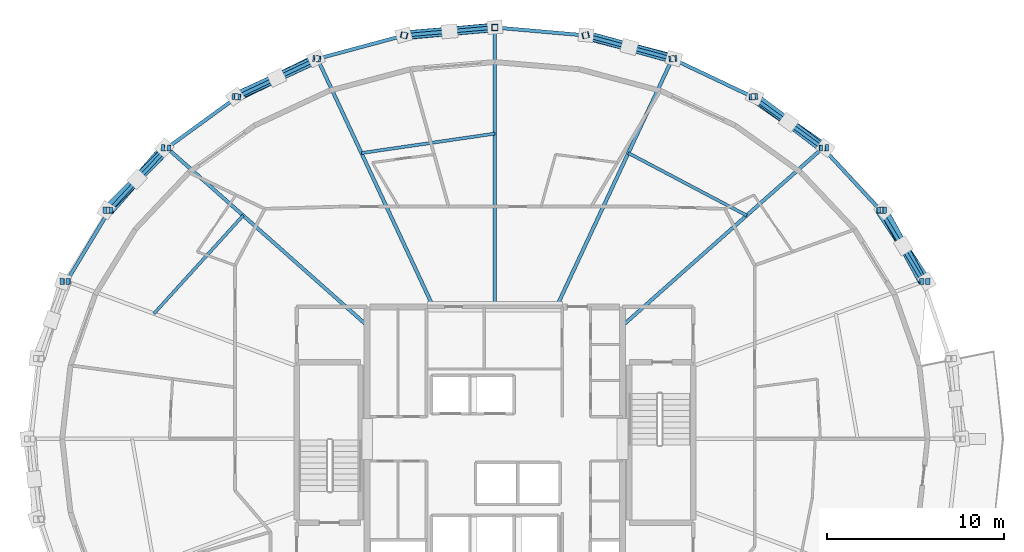
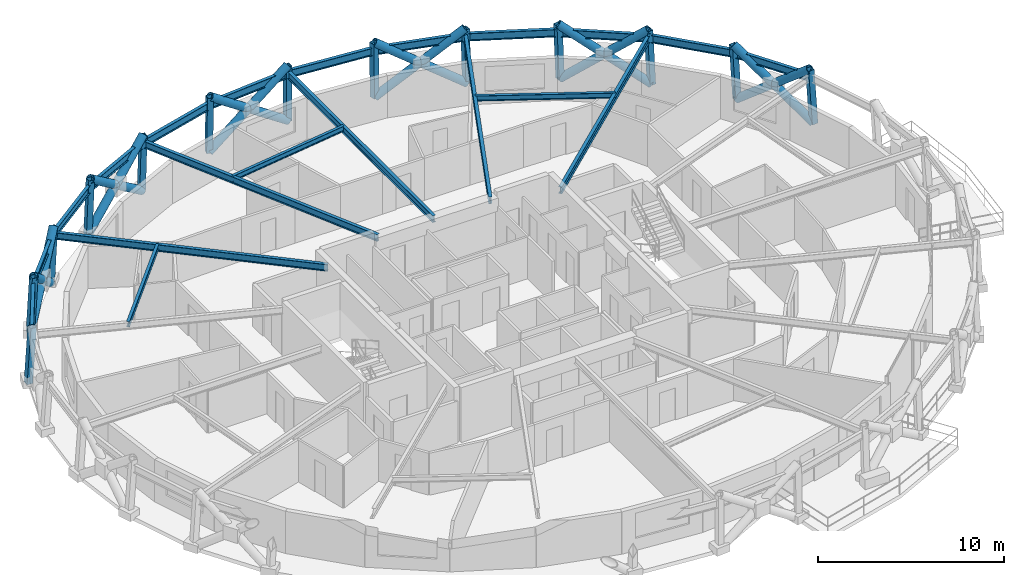
# One storey, part 7 of 14: 31 members, 20 beams.
"""IFC4 building model written with IfcOpenShell, lengths in metres."""

from ifc_helpers import new_model, si_unit, direction, frame, origin, origin_2d, place, context, subcontext, project, spatial, hollow_rectangle, hollow_circle, i_section, extrude, material, material_profile, profile_set, type_object, element, save


model = new_model("IFC4")

# Units and contexts
model_context = context("Model", 3, precision=1e-05, world=origin(), true_north=direction((0.0, 1.0)))
body_context = subcontext(model_context, "Body", "Model", "MODEL_VIEW")
ifc_project = project(units=[si_unit("LENGTHUNIT", "METRE"), si_unit("AREAUNIT", "SQUARE_METRE"), si_unit("VOLUMEUNIT", "CUBIC_METRE"), si_unit("PLANEANGLEUNIT", "RADIAN"), si_unit("MASSUNIT", "GRAM", prefix="KILO")], contexts=[model_context])

# Site, building, storey
site_placement = place(None, origin())
site = spatial("IfcSite", under=ifc_project, at=site_placement, CompositionType="ELEMENT")
building_placement = place(site_placement, origin())
building = spatial("IfcBuilding", under=site, at=building_placement, Name="Veldorina Hangang Commons", CompositionType="ELEMENT")
storey_placement = place(building_placement, frame((0.0, 0.0, 200.0)))
storey = spatial("IfcBuildingStorey", under=building, at=storey_placement, Name="L52", CompositionType="ELEMENT", Elevation=200.0)

# Beams
ifc_material_1 = material(Name="Steel SM355-TMC", Category="steel")
ifc_material_profile_1 = material_profile(ifc_material_1, i_section(OverallWidth=0.199951171875, OverallDepth=0.449951171875, WebThickness=0.009033203125, FlangeThickness=0.013916015625, FilletRadius=0.01611328125, at=origin_2d()), Name="H-450x200x9x14")
ifc_profile_set_1 = profile_set([ifc_material_profile_1], Name="Steel SM355-TMC")
beam_type_1 = type_object("IfcBeamType", Name="BM-FG450", PredefinedType="BEAM", material=ifc_profile_set_1)
beam_1_placement = place(storey_placement, frame((39.199951171875, 30.390380859375, 3.074951171875), z_axis=(0.747915165692, 0.663794324267, 0.0), x_axis=(-0.663794324267, 0.747915165692, 0.0)))
element("IfcBeam", 1, at=beam_1_placement, inside=storey, type_object=beam_type_1, Name="L52 radial floor girder 03", PredefinedType="BEAM", context=body_context, shape_type="SweptSolid", body=[
    extrude(i_section(OverallWidth=0.199951171875, OverallDepth=0.449951171875, WebThickness=0.009033203125, FlangeThickness=0.013916015625, FilletRadius=0.01611328125, at=origin_2d()), origin(), (0.0, 0.0, 1.0), 15.091796875),
])
beam_2_placement = place(storey_placement, frame((35.476806640625, 31.449951171875, 3.074951171875), z_axis=(0.422916633898, 0.906168594011, 0.0), x_axis=(-0.906168594011, 0.422916633898, 0.0)))
element("IfcBeam", 2, at=beam_2_placement, inside=storey, type_object=beam_type_1, Name="L52 radial floor girder 04", PredefinedType="BEAM", context=body_context, shape_type="SweptSolid", body=[
    extrude(i_section(OverallWidth=0.199951171875, OverallDepth=0.449951171875, WebThickness=0.009033203125, FlangeThickness=0.013916015625, FilletRadius=0.01611328125, at=origin_2d()), origin(), (0.0, 0.0, 1.0), 15.43701171875),
])
beam_3_placement = place(storey_placement, frame((32.0, 31.449951171875, 3.074951171875), z_axis=(0.0, 1.0, 0.0), x_axis=(-1.0, 0.0, 0.0)))
element("IfcBeam", 3, at=beam_3_placement, inside=storey, type_object=beam_type_1, Name="L52 radial floor girder 05", PredefinedType="BEAM", context=body_context, shape_type="SweptSolid", body=[
    extrude(i_section(OverallWidth=0.199951171875, OverallDepth=0.449951171875, WebThickness=0.009033203125, FlangeThickness=0.013916015625, FilletRadius=0.01611328125, at=origin_2d()), origin(), (0.0, 0.0, 1.0), 15.7548828125),
])
beam_4_placement = place(storey_placement, frame((28.523193359375, 31.449951171875, 3.074951171875), z_axis=(-0.422916633898, 0.906168594011, 0.0), x_axis=(-0.906168594011, -0.422916633898, 0.0)))
element("IfcBeam", 4, at=beam_4_placement, inside=storey, type_object=beam_type_1, Name="L52 radial floor girder 06", PredefinedType="BEAM", context=body_context, shape_type="SweptSolid", body=[
    extrude(i_section(OverallWidth=0.199951171875, OverallDepth=0.449951171875, WebThickness=0.009033203125, FlangeThickness=0.013916015625, FilletRadius=0.01611328125, at=origin_2d()), origin(), (0.0, 0.0, 1.0), 15.43701171875),
])
beam_5_placement = place(storey_placement, frame((24.800048828125, 30.390380859375, 3.074951171875), z_axis=(-0.747915165692, 0.663794324267, 0.0), x_axis=(-0.663794324267, -0.747915165692, 0.0)))
element("IfcBeam", 5, at=beam_5_placement, inside=storey, type_object=beam_type_1, Name="L52 radial floor girder 07", PredefinedType="BEAM", context=body_context, shape_type="SweptSolid", body=[
    extrude(i_section(OverallWidth=0.199951171875, OverallDepth=0.449951171875, WebThickness=0.009033203125, FlangeThickness=0.013916015625, FilletRadius=0.01611328125, at=origin_2d()), origin(), (0.0, 0.0, 1.0), 15.091796875),
])
ifc_material_profile_2 = material_profile(ifc_material_1, i_section(OverallWidth=0.175048828125, OverallDepth=0.35009765625, WebThickness=0.007080078125, FlangeThickness=0.010986328125, FilletRadius=0.012939453125, at=origin_2d()), Name="H-350x175x7x11")
ifc_profile_set_2 = profile_set([ifc_material_profile_2], Name="Steel SM355-TMC")
beam_type_2 = type_object("IfcBeamType", Name="BM-JST350", PredefinedType="JOIST", material=ifc_profile_set_2)
beam_6_placement = place(storey_placement, frame((46.197998046875, 36.6015625, 3.125), z_axis=(-0.884435575108, 0.466662312046, 0.0), x_axis=(-0.466662312046, -0.884435575108, 0.0)))
element("IfcBeam", 6, at=beam_6_placement, inside=storey, type_object=beam_type_2, Name="L52 secondary floor joist 03", PredefinedType="JOIST", context=body_context, shape_type="SweptSolid", body=[
    extrude(i_section(OverallWidth=0.175048828125, OverallDepth=0.35009765625, WebThickness=0.007080078125, FlangeThickness=0.010986328125, FilletRadius=0.012939453125, at=origin_2d()), origin(), (0.0, 0.0, 1.0), 7.545654296875),
])
beam_7_placement = place(storey_placement, frame((32.0, 41.218017578125, 3.125), z_axis=(-0.989572298208, -0.144037032114, 0.0), x_axis=(0.144037032114, -0.989572298208, 0.0)))
element("IfcBeam", 7, at=beam_7_placement, inside=storey, type_object=beam_type_2, Name="L52 secondary floor joist 05", PredefinedType="JOIST", context=body_context, shape_type="SweptSolid", body=[
    extrude(i_section(OverallWidth=0.175048828125, OverallDepth=0.35009765625, WebThickness=0.007080078125, FlangeThickness=0.010986328125, FilletRadius=0.012939453125, at=origin_2d()), origin(), (0.0, 0.0, 1.0), 7.603759765625),
])
beam_8_placement = place(storey_placement, frame((17.802001953125, 36.6015625, 3.125), z_axis=(-0.672328130477, -0.740253257318, 0.0), x_axis=(0.740253257318, -0.672328130477, 0.0)))
element("IfcBeam", 8, at=beam_8_placement, inside=storey, type_object=beam_type_2, Name="L52 secondary floor joist 07", PredefinedType="JOIST", context=body_context, shape_type="SweptSolid", body=[
    extrude(i_section(OverallWidth=0.175048828125, OverallDepth=0.35009765625, WebThickness=0.007080078125, FlangeThickness=0.010986328125, FilletRadius=0.012939453125, at=origin_2d()), origin(), (0.0, 0.0, 1.0), 7.47607421875),
])
ifc_material_2 = material(Name="Steel SM420-TMC", Category="steel")
ifc_material_profile_3 = material_profile(ifc_material_2, i_section(OverallWidth=0.199951171875, OverallDepth=0.5, WebThickness=0.010009765625, FlangeThickness=0.01611328125, FilletRadius=0.01611328125, at=origin_2d()), Name="H-500x200x10x16")
ifc_profile_set_3 = profile_set([ifc_material_profile_3], Name="Steel SM420-TMC")
beam_type_3 = type_object("IfcBeamType", Name="BM-RB500", PredefinedType="BEAM", material=ifc_profile_set_3)
beam_9_placement = place(storey_placement, frame((56.15478515625, 32.880126953125, 3.050048828125), z_axis=(-0.51590571016, 0.856645374834, 0.0), x_axis=(-0.856645374834, -0.51590571016, 0.0)))
element("IfcBeam", 9, at=beam_9_placement, inside=storey, type_object=beam_type_3, Name="L52 perimeter hoop ring beam 02", PredefinedType="BEAM", context=body_context, shape_type="SweptSolid", body=[
    extrude(i_section(OverallWidth=0.199951171875, OverallDepth=0.5, WebThickness=0.010009765625, FlangeThickness=0.01611328125, FilletRadius=0.01611328125, at=origin_2d()), origin(), (0.0, 0.0, 1.0), 4.68310546875),
])
beam_10_placement = place(storey_placement, frame((53.73876953125, 36.891845703125, 3.050048828125), z_axis=(-0.678910794027, 0.734220766359, 0.0), x_axis=(-0.734220766359, -0.678910794027, 0.0)))
element("IfcBeam", 10, at=beam_10_placement, inside=storey, type_object=beam_type_3, Name="L52 perimeter hoop ring beam 03", PredefinedType="BEAM", context=body_context, shape_type="SweptSolid", body=[
    extrude(i_section(OverallWidth=0.199951171875, OverallDepth=0.5, WebThickness=0.010009765625, FlangeThickness=0.01611328125, FilletRadius=0.01611328125, at=origin_2d()), origin(), (0.0, 0.0, 1.0), 4.789306640625),
])
beam_11_placement = place(storey_placement, frame((50.4873046875, 40.408203125, 3.050048828125), z_axis=(-0.808289999855, 0.58878457532, 0.0), x_axis=(-0.58878457532, -0.808289999855, 0.0)))
element("IfcBeam", 11, at=beam_11_placement, inside=storey, type_object=beam_type_3, Name="L52 perimeter hoop ring beam 04", PredefinedType="BEAM", context=body_context, shape_type="SweptSolid", body=[
    extrude(i_section(OverallWidth=0.199951171875, OverallDepth=0.5, WebThickness=0.010009765625, FlangeThickness=0.01611328125, FilletRadius=0.01611328125, at=origin_2d()), origin(), (0.0, 0.0, 1.0), 4.901611328125),
])
beam_12_placement = place(storey_placement, frame((46.525390625, 43.294189453125, 3.050048828125), z_axis=(-0.903488274153, 0.428612807167, 0.0), x_axis=(-0.428612807167, -0.903488274153, 0.0)))
element("IfcBeam", 12, at=beam_12_placement, inside=storey, type_object=beam_type_3, Name="L52 perimeter hoop ring beam 05", PredefinedType="BEAM", context=body_context, shape_type="SweptSolid", body=[
    extrude(i_section(OverallWidth=0.199951171875, OverallDepth=0.5, WebThickness=0.010009765625, FlangeThickness=0.01611328125, FilletRadius=0.01611328125, at=origin_2d()), origin(), (0.0, 0.0, 1.0), 5.0029296875),
])
beam_13_placement = place(storey_placement, frame((42.00537109375, 45.4384765625, 3.050048828125), z_axis=(-0.965613902216, 0.259980368197, 0.0), x_axis=(-0.259980368197, -0.965613902216, 0.0)))
element("IfcBeam", 13, at=beam_13_placement, inside=storey, type_object=beam_type_3, Name="L52 perimeter hoop ring beam 06", PredefinedType="BEAM", context=body_context, shape_type="SweptSolid", body=[
    extrude(i_section(OverallWidth=0.199951171875, OverallDepth=0.5, WebThickness=0.010009765625, FlangeThickness=0.01611328125, FilletRadius=0.01611328125, at=origin_2d()), origin(), (0.0, 0.0, 1.0), 5.079345703125),
])
for number, where, z_axis, x_axis, name in (
    (14, (37.1005859375, 46.759033203125, 3.050048828125), (-0.996202201, 0.087069941558, 0.0), (-0.087069941558, -0.996202201, 0.0), "L52 perimeter hoop ring beam 07"),
    (15, (32.0, 47.204833984375, 3.050048828125), (-0.996202201, -0.087069941558, 0.0), (0.087069941558, -0.996202201, 0.0), "L52 perimeter hoop ring beam 08"),
):
    element("IfcBeam", number, at=place(storey_placement, frame(where, z_axis=z_axis, x_axis=x_axis)), inside=storey, type_object=beam_type_3, Name=name, PredefinedType="BEAM", context=body_context, shape_type="SweptSolid", body=[
        extrude(i_section(OverallWidth=0.199951171875, OverallDepth=0.5, WebThickness=0.010009765625, FlangeThickness=0.01611328125, FilletRadius=0.01611328125, at=origin_2d()), origin(), (0.0, 0.0, 1.0), 5.1201171875),
    ])
beam_14_placement = place(storey_placement, frame((26.8994140625, 46.759033203125, 3.050048828125), z_axis=(-0.965613902216, -0.259980368197, 0.0), x_axis=(0.259980368197, -0.965613902216, 0.0)))
element("IfcBeam", 16, at=beam_14_placement, inside=storey, type_object=beam_type_3, Name="L52 perimeter hoop ring beam 09", PredefinedType="BEAM", context=body_context, shape_type="SweptSolid", body=[
    extrude(i_section(OverallWidth=0.199951171875, OverallDepth=0.5, WebThickness=0.010009765625, FlangeThickness=0.01611328125, FilletRadius=0.01611328125, at=origin_2d()), origin(), (0.0, 0.0, 1.0), 5.079345703125),
])
beam_15_placement = place(storey_placement, frame((21.99462890625, 45.4384765625, 3.050048828125), z_axis=(-0.903488274153, -0.428612807167, 0.0), x_axis=(0.428612807167, -0.903488274153, 0.0)))
element("IfcBeam", 17, at=beam_15_placement, inside=storey, type_object=beam_type_3, Name="L52 perimeter hoop ring beam 10", PredefinedType="BEAM", context=body_context, shape_type="SweptSolid", body=[
    extrude(i_section(OverallWidth=0.199951171875, OverallDepth=0.5, WebThickness=0.010009765625, FlangeThickness=0.01611328125, FilletRadius=0.01611328125, at=origin_2d()), origin(), (0.0, 0.0, 1.0), 5.0029296875),
])
beam_16_placement = place(storey_placement, frame((17.474609375, 43.294189453125, 3.050048828125), z_axis=(-0.808289999855, -0.58878457532, 0.0), x_axis=(0.58878457532, -0.808289999855, 0.0)))
element("IfcBeam", 18, at=beam_16_placement, inside=storey, type_object=beam_type_3, Name="L52 perimeter hoop ring beam 11", PredefinedType="BEAM", context=body_context, shape_type="SweptSolid", body=[
    extrude(i_section(OverallWidth=0.199951171875, OverallDepth=0.5, WebThickness=0.010009765625, FlangeThickness=0.01611328125, FilletRadius=0.01611328125, at=origin_2d()), origin(), (0.0, 0.0, 1.0), 4.901611328125),
])
beam_17_placement = place(storey_placement, frame((13.5126953125, 40.408203125, 3.050048828125), z_axis=(-0.678910794027, -0.734220766359, 0.0), x_axis=(0.734220766359, -0.678910794027, 0.0)))
element("IfcBeam", 19, at=beam_17_placement, inside=storey, type_object=beam_type_3, Name="L52 perimeter hoop ring beam 12", PredefinedType="BEAM", context=body_context, shape_type="SweptSolid", body=[
    extrude(i_section(OverallWidth=0.199951171875, OverallDepth=0.5, WebThickness=0.010009765625, FlangeThickness=0.01611328125, FilletRadius=0.01611328125, at=origin_2d()), origin(), (0.0, 0.0, 1.0), 4.789306640625),
])
beam_18_placement = place(storey_placement, frame((10.26123046875, 36.891845703125, 3.050048828125), z_axis=(-0.51590571016, -0.856645374834, 0.0), x_axis=(0.856645374834, -0.51590571016, 0.0)))
element("IfcBeam", 20, at=beam_18_placement, inside=storey, type_object=beam_type_3, Name="L52 perimeter hoop ring beam 13", PredefinedType="BEAM", context=body_context, shape_type="SweptSolid", body=[
    extrude(i_section(OverallWidth=0.199951171875, OverallDepth=0.5, WebThickness=0.010009765625, FlangeThickness=0.01611328125, FilletRadius=0.01611328125, at=origin_2d()), origin(), (0.0, 0.0, 1.0), 4.68310546875),
])

# Members
ifc_material_profile_4 = material_profile(ifc_material_2, hollow_circle(Radius=0.25, WallThickness=0.02490234375, at=origin_2d()), Name="CHS-500x25")
ifc_profile_set_4 = profile_set([ifc_material_profile_4], Name="Steel SM420-TMC")
member_type_1 = type_object("IfcMemberType", Name="DG-CHS500", PredefinedType="BRACE", material=ifc_profile_set_4)
member_1_placement = place(storey_placement, frame((56.35400390625, 32.884033203125, 0.0), z_axis=(-0.44112626303, 0.667567010498, 0.599801555983), x_axis=(-0.834303588325, -0.551305289751, 0.0)))
element("IfcMember", 21, at=member_1_placement, inside=storey, type_object=member_type_1, Name="L52 continuous perimeter diagrid brace 02", PredefinedType="BRACE", context=body_context, shape_type="SweptSolid", body=[
    extrude(hollow_circle(Radius=0.25, WallThickness=0.02490234375, at=origin_2d()), origin(), (0.0, 0.0, 1.0), 6.002197265625),
])
member_2_placement = place(storey_placement, frame((53.91796875, 36.897705078125, 0.0), z_axis=(0.380577054086, -0.688017708596, 0.617893792298), x_axis=(0.87504938824, 0.484033643604, 0.0)))
element("IfcMember", 22, at=member_2_placement, inside=storey, type_object=member_type_1, Name="L52 split perimeter diagrid lower brace 03", PredefinedType="BRACE", context=body_context, shape_type="SweptSolid", body=[
    extrude(hollow_circle(Radius=0.25, WallThickness=0.02490234375, at=origin_2d()), origin(), (0.0, 0.0, 1.0), 2.91748046875),
])
member_3_placement = place(storey_placement, frame((55.0283203125, 34.890380859375, 1.802734375), z_axis=(0.374860594204, -0.691230515885, 0.617802483665), x_axis=(0.879055354422, 0.476719712056, 0.0)))
element("IfcMember", 23, at=member_3_placement, inside=storey, type_object=member_type_1, Name="L52 split perimeter diagrid upper brace 03", PredefinedType="BRACE", context=body_context, shape_type="SweptSolid", body=[
    extrude(hollow_circle(Radius=0.25, WallThickness=0.02490234375, at=origin_2d()), origin(), (0.0, 0.0, 1.0), 2.9091796875),
])
member_4_placement = place(storey_placement, frame((50.6396484375, 40.41552734375, 0.0), z_axis=(-0.667907771076, 0.464617778888, 0.581403069202), x_axis=(-0.571053129357, -0.820913103472, 0.0)))
element("IfcMember", 24, at=member_4_placement, inside=storey, type_object=member_type_1, Name="L52 continuous perimeter diagrid brace 04", PredefinedType="BRACE", context=body_context, shape_type="SweptSolid", body=[
    extrude(hollow_circle(Radius=0.25, WallThickness=0.02490234375, at=origin_2d()), origin(), (0.0, 0.0, 1.0), 6.192138671875),
])
member_5_placement = place(storey_placement, frame((46.64501953125, 43.302734375, 0.0), z_axis=(0.638835697702, -0.480426540718, 0.600898735491), x_axis=(0.601040184156, 0.799218804227, 0.0)))
element("IfcMember", 25, at=member_5_placement, inside=storey, type_object=member_type_1, Name="L52 split perimeter diagrid lower brace 05", PredefinedType="BRACE", context=body_context, shape_type="SweptSolid", body=[
    extrude(hollow_circle(Radius=0.25, WallThickness=0.02490234375, at=origin_2d()), origin(), (0.0, 0.0, 1.0), 3.00537109375),
])
member_6_placement = place(storey_placement, frame((48.56494140625, 41.85888671875, 1.805908203125), z_axis=(0.634513205791, -0.486206678887, 0.600829474212), x_axis=(0.608231840434, 0.793759427208, 0.0)))
element("IfcMember", 26, at=member_6_placement, inside=storey, type_object=member_type_1, Name="L52 split perimeter diagrid upper brace 05", PredefinedType="BRACE", context=body_context, shape_type="SweptSolid", body=[
    extrude(hollow_circle(Radius=0.25, WallThickness=0.02490234375, at=origin_2d()), origin(), (0.0, 0.0, 1.0), 2.986083984375),
])
member_7_placement = place(storey_placement, frame((42.087646484375, 45.447998046875, 0.0), z_axis=(-0.793491103879, 0.207972397057, 0.571943485082), x_axis=(-0.253534274039, -0.967326404006, 0.0)))
element("IfcMember", 27, at=member_7_placement, inside=storey, type_object=member_type_1, Name="L52 continuous perimeter diagrid brace 06", PredefinedType="BRACE", context=body_context, shape_type="SweptSolid", body=[
    extrude(hollow_circle(Radius=0.25, WallThickness=0.02490234375, at=origin_2d()), origin(), (0.0, 0.0, 1.0), 6.29443359375),
])
member_8_placement = place(storey_placement, frame((37.142578125, 46.76904296875, 0.0), z_axis=(0.784511377359, -0.213578899026, 0.582173473018), x_axis=(0.262683799607, 0.964881972794, 0.0)))
element("IfcMember", 28, at=member_8_placement, inside=storey, type_object=member_type_1, Name="L52 split perimeter diagrid lower brace 07", PredefinedType="BRACE", context=body_context, shape_type="SweptSolid", body=[
    extrude(hollow_circle(Radius=0.25, WallThickness=0.02490234375, at=origin_2d()), origin(), (0.0, 0.0, 1.0), 3.105712890625),
])
member_9_placement = place(storey_placement, frame((39.5791015625, 46.105712890625, 1.80810546875), z_axis=(0.783449003319, -0.21733828785, 0.5822127857), x_axis=(0.267316781842, 0.963608705931, 0.0)))
element("IfcMember", 29, at=member_9_placement, inside=storey, type_object=member_type_1, Name="L52 split perimeter diagrid upper brace 07", PredefinedType="BRACE", context=body_context, shape_type="SweptSolid", body=[
    extrude(hollow_circle(Radius=0.25, WallThickness=0.02490234375, at=origin_2d()), origin(), (0.0, 0.0, 1.0), 3.077880859375),
])
member_10_placement = place(storey_placement, frame((32.0, 47.215087890625, 0.0), z_axis=(-0.814395078909, -0.073237388813, 0.575670861109), x_axis=(0.089567132785, -0.995980787327, 0.0)))
element("IfcMember", 30, at=member_10_placement, inside=storey, type_object=member_type_1, Name="L52 continuous perimeter diagrid brace 08", PredefinedType="BRACE", context=body_context, shape_type="SweptSolid", body=[
    extrude(hollow_circle(Radius=0.25, WallThickness=0.02490234375, at=origin_2d()), origin(), (0.0, 0.0, 1.0), 6.253662109375),
])
member_11_placement = place(storey_placement, frame((26.857421875, 46.76904296875, 0.0), z_axis=(0.817319802631, 0.068348107845, 0.572116138892), x_axis=(-0.083333808433, 0.996521688862, 0.0)))
element("IfcMember", 31, at=member_11_placement, inside=storey, type_object=member_type_1, Name="L52 split perimeter diagrid lower brace 09", PredefinedType="BRACE", context=body_context, shape_type="SweptSolid", body=[
    extrude(hollow_circle(Radius=0.25, WallThickness=0.02490234375, at=origin_2d()), origin(), (0.0, 0.0, 1.0), 3.1611328125),
])
member_12_placement = place(storey_placement, frame((29.441162109375, 46.985107421875, 1.80859375), z_axis=(0.817200559381, 0.069548983777, 0.572141752193), x_axis=(-0.084799830401, 0.996398007206, 0.0)))
element("IfcMember", 32, at=member_12_placement, inside=storey, type_object=member_type_1, Name="L52 split perimeter diagrid upper brace 09", PredefinedType="BRACE", context=body_context, shape_type="SweptSolid", body=[
    extrude(hollow_circle(Radius=0.25, WallThickness=0.02490234375, at=origin_2d()), origin(), (0.0, 0.0, 1.0), 3.131103515625),
])
member_13_placement = place(storey_placement, frame((21.912353515625, 45.447998046875, 0.0), z_axis=(-0.724948778967, -0.353837844519, 0.590972120883), x_axis=(0.438628191202, -0.898668631856, 0.0)))
element("IfcMember", 33, at=member_13_placement, inside=storey, type_object=member_type_1, Name="L52 continuous perimeter diagrid brace 10", PredefinedType="BRACE", context=body_context, shape_type="SweptSolid", body=[
    extrude(hollow_circle(Radius=0.25, WallThickness=0.02490234375, at=origin_2d()), origin(), (0.0, 0.0, 1.0), 6.091796875),
])
member_14_placement = place(storey_placement, frame((17.35498046875, 43.302734375, 0.0), z_axis=(0.74481018092, 0.338373496548, 0.575118397577), x_axis=(-0.41362404162, 0.910447775654, 0.0)))
element("IfcMember", 34, at=member_14_placement, inside=storey, type_object=member_type_1, Name="L52 split perimeter diagrid lower brace 11", PredefinedType="BRACE", context=body_context, shape_type="SweptSolid", body=[
    extrude(hollow_circle(Radius=0.25, WallThickness=0.02490234375, at=origin_2d()), origin(), (0.0, 0.0, 1.0), 3.14208984375),
])
member_15_placement = place(storey_placement, frame((19.6953125, 44.365966796875, 1.80712890625), z_axis=(0.742400721338, 0.343514037745, 0.575186295759), x_axis=(-0.419932287497, 0.907555438482, 0.0)))
element("IfcMember", 35, at=member_15_placement, inside=storey, type_object=member_type_1, Name="L52 split perimeter diagrid upper brace 11", PredefinedType="BRACE", context=body_context, shape_type="SweptSolid", body=[
    extrude(hollow_circle(Radius=0.25, WallThickness=0.02490234375, at=origin_2d()), origin(), (0.0, 0.0, 1.0), 3.1171875),
])
member_16_placement = place(storey_placement, frame((13.3603515625, 40.41552734375, 0.0), z_axis=(-0.519933611983, -0.597586303336, 0.610376645355), x_axis=(0.754422118029, -0.656389570171, 0.0)))
element("IfcMember", 36, at=member_16_placement, inside=storey, type_object=member_type_1, Name="L52 continuous perimeter diagrid brace 12", PredefinedType="BRACE", context=body_context, shape_type="SweptSolid", body=[
    extrude(hollow_circle(Radius=0.25, WallThickness=0.02490234375, at=origin_2d()), origin(), (0.0, 0.0, 1.0), 5.898193359375),
])
member_17_placement = place(storey_placement, frame((10.08203125, 36.897705078125, 0.0), z_axis=(0.569323491408, 0.572596383043, 0.589918760727), x_axis=(-0.709130529014, 0.705077224721, 0.0)))
element("IfcMember", 37, at=member_17_placement, inside=storey, type_object=member_type_1, Name="L52 split perimeter diagrid lower brace 13", PredefinedType="BRACE", context=body_context, shape_type="SweptSolid", body=[
    extrude(hollow_circle(Radius=0.25, WallThickness=0.02490234375, at=origin_2d()), origin(), (0.0, 0.0, 1.0), 3.058349609375),
])
member_18_placement = place(storey_placement, frame((11.8232421875, 38.64892578125, 1.80419921875), z_axis=(0.564125423204, 0.577600906084, 0.590033643266), x_axis=(-0.715402741067, 0.698712328555, 0.0)))
element("IfcMember", 38, at=member_18_placement, inside=storey, type_object=member_type_1, Name="L52 split perimeter diagrid upper brace 13", PredefinedType="BRACE", context=body_context, shape_type="SweptSolid", body=[
    extrude(hollow_circle(Radius=0.25, WallThickness=0.02490234375, at=origin_2d()), origin(), (0.0, 0.0, 1.0), 3.043701171875),
])
ifc_material_profile_5 = material_profile(ifc_material_1, hollow_rectangle(XDim=0.35009765625, YDim=0.35009765625, WallThickness=0.01611328125, at=origin_2d()), Name="SHS-350x350x16")
ifc_profile_set_5 = profile_set([ifc_material_profile_5], Name="Steel SM355-TMC")
member_type_2 = type_object("IfcMemberType", Name="STR-SHS350", PredefinedType="STRUT", material=ifc_profile_set_5)
member_19_placement = place(storey_placement, frame((56.35400390625, 32.884033203125, 0.0), z_axis=(-0.065166975722, -0.001285745108, 0.997873545162), x_axis=(0.019726171322, -0.999805420152, 0.0)))
element("IfcMember", 39, at=member_19_placement, inside=storey, type_object=member_type_2, Name="L52 perimeter ring node post 02", PredefinedType="STRUT", context=body_context, shape_type="SweptSolid", body=[
    extrude(hollow_rectangle(XDim=0.35009765625, YDim=0.35009765625, WallThickness=0.01611328125, at=origin_2d()), origin(), (0.0, 0.0, 1.0), 3.607666015625),
])
member_20_placement = place(storey_placement, frame((53.91796875, 36.897705078125, 0.0), z_axis=(-0.058694136922, -0.001895543061, 0.998274213434), x_axis=(0.032278442478, -0.999478915311, 0.0)))
element("IfcMember", 40, at=member_20_placement, inside=storey, type_object=member_type_2, Name="L52 perimeter ring node post 03", PredefinedType="STRUT", context=body_context, shape_type="SweptSolid", body=[
    extrude(hollow_rectangle(XDim=0.35009765625, YDim=0.35009765625, WallThickness=0.01611328125, at=origin_2d()), origin(), (0.0, 0.0, 1.0), 3.606201171875),
])
member_21_placement = place(storey_placement, frame((50.6396484375, 40.41552734375, 0.0), z_axis=(-0.04991720821, -0.002370559413, 0.998750545818), x_axis=(0.047436362516, -0.998874262113, 0.0)))
element("IfcMember", 41, at=member_21_placement, inside=storey, type_object=member_type_2, Name="L52 perimeter ring node post 04", PredefinedType="STRUT", context=body_context, shape_type="SweptSolid", body=[
    extrude(hollow_rectangle(XDim=0.35009765625, YDim=0.35009765625, WallThickness=0.01611328125, at=origin_2d()), origin(), (0.0, 0.0, 1.0), 3.6044921875),
])
member_22_placement = place(storey_placement, frame((46.64501953125, 43.302734375, 0.0), z_axis=(-0.039166835029, -0.002846032995, 0.999228632061), x_axis=(0.072473278351, -0.997370354445, 0.0)))
element("IfcMember", 42, at=member_22_placement, inside=storey, type_object=member_type_2, Name="L52 perimeter ring node post 05", PredefinedType="STRUT", context=body_context, shape_type="SweptSolid", body=[
    extrude(hollow_rectangle(XDim=0.35009765625, YDim=0.35009765625, WallThickness=0.01611328125, at=origin_2d()), origin(), (0.0, 0.0, 1.0), 3.602783203125),
])
member_23_placement = place(storey_placement, frame((42.087646484375, 45.447998046875, 0.0), z_axis=(-0.026980413484, -0.003118339247, 0.99963109858), x_axis=(0.114813579278, -0.993387055489, 0.0)))
element("IfcMember", 43, at=member_23_placement, inside=storey, type_object=member_type_2, Name="L52 perimeter ring node post 06", PredefinedType="STRUT", context=body_context, shape_type="SweptSolid", body=[
    extrude(hollow_rectangle(XDim=0.35009765625, YDim=0.35009765625, WallThickness=0.01611328125, at=origin_2d()), origin(), (0.0, 0.0, 1.0), 3.601318359375),
])
member_24_placement = place(storey_placement, frame((37.142578125, 46.76904296875, 0.0), z_axis=(-0.013765064867, -0.003322601865, 0.999899736627), x_axis=(0.234640533104, -0.972082208573, 0.0)))
element("IfcMember", 44, at=member_24_placement, inside=storey, type_object=member_type_2, Name="L52 perimeter ring node post 07", PredefinedType="STRUT", context=body_context, shape_type="SweptSolid", body=[
    extrude(hollow_rectangle(XDim=0.35009765625, YDim=0.35009765625, WallThickness=0.01611328125, at=origin_2d()), origin(), (0.0, 0.0, 1.0), 3.600341796875),
])
member_25_placement = place(storey_placement, frame((32.0, 47.215087890625, 0.0), z_axis=(0.0, -0.003390730542, 0.999994251457), x_axis=(1.0, 0.0, 0.0)))
element("IfcMember", 45, at=member_25_placement, inside=storey, type_object=member_type_2, Name="L52 perimeter ring node post 08", PredefinedType="STRUT", context=body_context, shape_type="SweptSolid", body=[
    extrude(hollow_rectangle(XDim=0.35009765625, YDim=0.35009765625, WallThickness=0.01611328125, at=origin_2d()), origin(), (0.0, 0.0, 1.0), 3.60009765625),
])
member_26_placement = place(storey_placement, frame((26.857421875, 46.76904296875, 0.0), z_axis=(0.013765064867, -0.003322601865, 0.999899736627), x_axis=(0.234640533104, 0.972082208573, 0.0)))
element("IfcMember", 46, at=member_26_placement, inside=storey, type_object=member_type_2, Name="L52 perimeter ring node post 09", PredefinedType="STRUT", context=body_context, shape_type="SweptSolid", body=[
    extrude(hollow_rectangle(XDim=0.35009765625, YDim=0.35009765625, WallThickness=0.01611328125, at=origin_2d()), origin(), (0.0, 0.0, 1.0), 3.600341796875),
])
member_27_placement = place(storey_placement, frame((21.912353515625, 45.447998046875, 0.0), z_axis=(0.026980413484, -0.003118339247, 0.99963109858), x_axis=(0.114813579278, 0.993387055489, 0.0)))
element("IfcMember", 47, at=member_27_placement, inside=storey, type_object=member_type_2, Name="L52 perimeter ring node post 10", PredefinedType="STRUT", context=body_context, shape_type="SweptSolid", body=[
    extrude(hollow_rectangle(XDim=0.35009765625, YDim=0.35009765625, WallThickness=0.01611328125, at=origin_2d()), origin(), (0.0, 0.0, 1.0), 3.601318359375),
])
member_28_placement = place(storey_placement, frame((17.35498046875, 43.302734375, 0.0), z_axis=(0.039166835029, -0.002846032995, 0.999228632061), x_axis=(0.072473278351, 0.997370354445, 0.0)))
element("IfcMember", 48, at=member_28_placement, inside=storey, type_object=member_type_2, Name="L52 perimeter ring node post 11", PredefinedType="STRUT", context=body_context, shape_type="SweptSolid", body=[
    extrude(hollow_rectangle(XDim=0.35009765625, YDim=0.35009765625, WallThickness=0.01611328125, at=origin_2d()), origin(), (0.0, 0.0, 1.0), 3.602783203125),
])
member_29_placement = place(storey_placement, frame((13.3603515625, 40.41552734375, 0.0), z_axis=(0.04991720821, -0.002370559413, 0.998750545818), x_axis=(0.047436362516, 0.998874262113, 0.0)))
element("IfcMember", 49, at=member_29_placement, inside=storey, type_object=member_type_2, Name="L52 perimeter ring node post 12", PredefinedType="STRUT", context=body_context, shape_type="SweptSolid", body=[
    extrude(hollow_rectangle(XDim=0.35009765625, YDim=0.35009765625, WallThickness=0.01611328125, at=origin_2d()), origin(), (0.0, 0.0, 1.0), 3.6044921875),
])
member_30_placement = place(storey_placement, frame((10.08203125, 36.897705078125, 0.0), z_axis=(0.058694136922, -0.001895543061, 0.998274213434), x_axis=(0.032278442478, 0.999478915311, 0.0)))
element("IfcMember", 50, at=member_30_placement, inside=storey, type_object=member_type_2, Name="L52 perimeter ring node post 13", PredefinedType="STRUT", context=body_context, shape_type="SweptSolid", body=[
    extrude(hollow_rectangle(XDim=0.35009765625, YDim=0.35009765625, WallThickness=0.01611328125, at=origin_2d()), origin(), (0.0, 0.0, 1.0), 3.606201171875),
])
member_31_placement = place(storey_placement, frame((7.64599609375, 32.884033203125, 0.0), z_axis=(0.065166975722, -0.001285745108, 0.997873545162), x_axis=(0.019726171322, 0.999805420152, 0.0)))
element("IfcMember", 51, at=member_31_placement, inside=storey, type_object=member_type_2, Name="L52 perimeter ring node post 14", PredefinedType="STRUT", context=body_context, shape_type="SweptSolid", body=[
    extrude(hollow_rectangle(XDim=0.35009765625, YDim=0.35009765625, WallThickness=0.01611328125, at=origin_2d()), origin(), (0.0, 0.0, 1.0), 3.607666015625),
])

save(model, "model.ifc")
